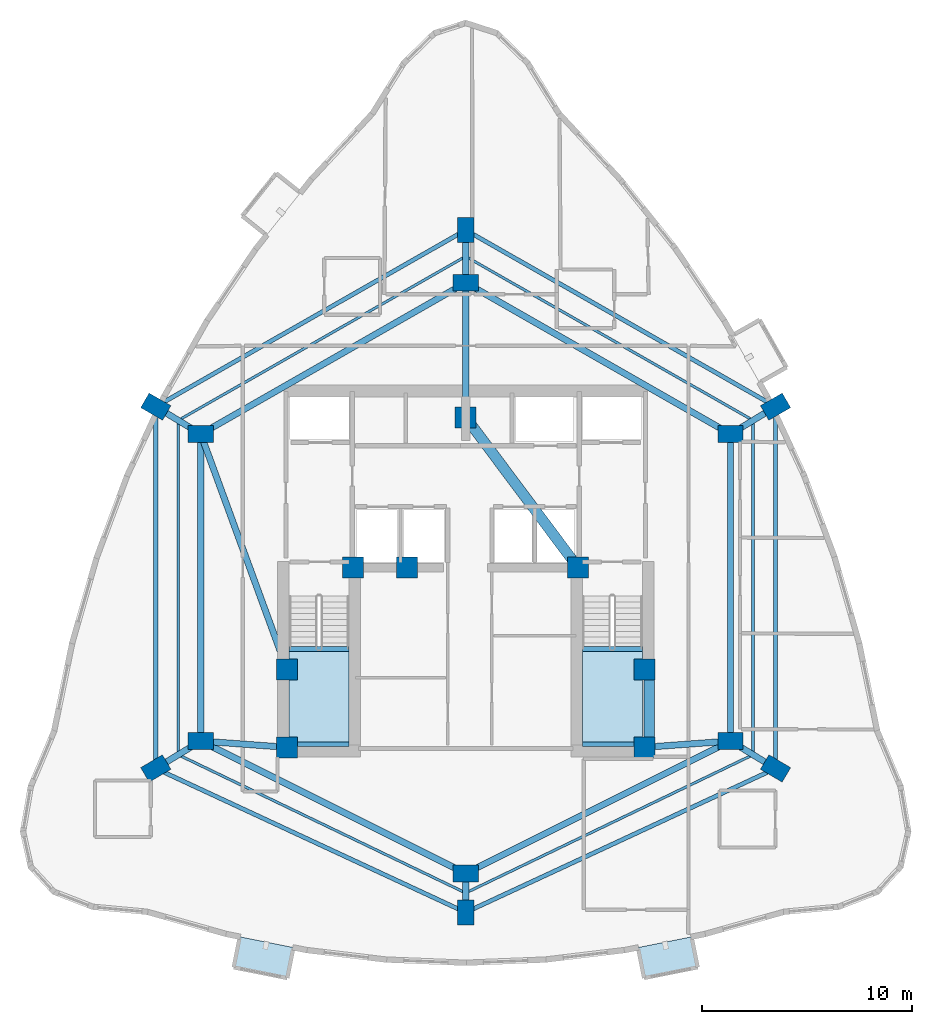
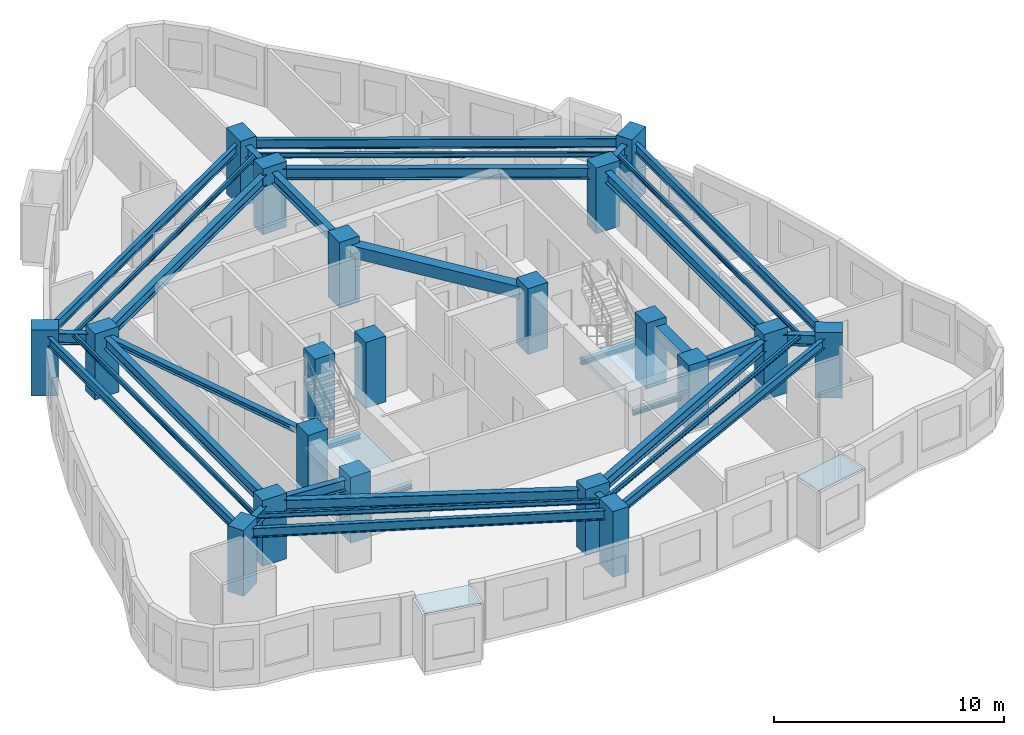
# One storey, part 1 of 9: 34 beams, 20 columns, 2 plates, 2 slabs, 2 elements without a shape of their own.
"""IFC4 building model written with IfcOpenShell, lengths in metres."""

from ifc_helpers import new_model, si_unit, direction, frame, origin, origin_2d, place, context, subcontext, project, spatial, polyline, rectangle, i_section, outline, extrude, material, layer, layer_set, material_profile, profile_set, type_object, element, aggregate, save


model = new_model("IFC4")

# Units and contexts
model_context = context("Model", 3, precision=1e-05, world=origin(), true_north=direction((0.0, 1.0)))
body_context = subcontext(model_context, "Body", "Model", "MODEL_VIEW")
ifc_project = project(units=[si_unit("LENGTHUNIT", "METRE"), si_unit("AREAUNIT", "SQUARE_METRE"), si_unit("VOLUMEUNIT", "CUBIC_METRE"), si_unit("PLANEANGLEUNIT", "RADIAN"), si_unit("MASSUNIT", "GRAM", prefix="KILO")], contexts=[model_context])

# Site, building, storey
site_placement = place(None, origin())
site = spatial("IfcSite", under=ifc_project, at=site_placement, CompositionType="ELEMENT")
building_placement = place(site_placement, origin())
building = spatial("IfcBuilding", under=site, at=building_placement, Name="Miruveldt Soraemaru", CompositionType="ELEMENT")
storey_placement = place(building_placement, frame((0.0, 0.0, 180.89990234375)))
storey = spatial("IfcBuildingStorey", under=building, at=storey_placement, Name="L50", CompositionType="ELEMENT", Elevation=180.89990234375)

# Columns
ifc_material_1 = material(Name="Concrete C60/75 (60 MPa)", Category="concrete")
ifc_material_profile_1 = material_profile(ifc_material_1, rectangle(XDim=1.0, YDim=1.0, at=origin_2d()), Name="Concrete C60/75 (60 MPa)", Category="concrete")
ifc_profile_set_1 = profile_set([ifc_material_profile_1], Name="Concrete C60/75 (60 MPa)")
column_type_1 = type_object("IfcColumnType", Name="COL-CORE-1000", PredefinedType="COLUMN", material=ifc_profile_set_1)
for number, where, z_axis, x_axis, name in (
    (1, (35.5, 35.5, 0.0), (0.0, 0.0, 1.0), (1.0, 0.0, 0.0), "L50 Structural Column CC1"),
    (2, (38.64990234375, 44.050048828125, 0.0), (0.0, 0.0, 1.0), (1.0, 0.0, 0.0), "L50 Structural Column CC2"),
    (3, (52.5, 35.5, 0.0), (0.0, 0.0, 1.0), (1.0, 0.0, 0.0), "L50 Structural Column CC3"),
    (4, (52.5, 39.199951171875, 0.0), (0.0, 0.0, 1.0), (1.0, 0.0, 0.0), "L50 Structural Column CC4"),
    (5, (49.35009765625, 44.050048828125, 0.0), (0.0, 0.0, 1.0), (1.0, 0.0, 0.0), "L50 Structural Column CC5"),
    (6, (44.0, 51.199951171875, 0.0), (0.0, 0.0, 1.0), (1.0, 0.0, 0.0), "L50 Structural Column CC6"),
    (7, (35.5, 39.199951171875, 0.0), (0.0, 0.0, 1.0), (1.0, 0.0, 0.0), "L50 Structural Column CC7"),
    (8, (41.199951171875, 44.050048828125, 0.0), (0.0, 0.0, 1.0), (1.0, 0.0, 0.0), "L50 Structural Column CC8"),
):
    element("IfcColumn", number, at=place(storey_placement, frame(where, z_axis=z_axis, x_axis=x_axis)), inside=storey, type_object=column_type_1, Name=name, PredefinedType="COLUMN", context=body_context, shape_type="SweptSolid", body=[
        extrude(rectangle(XDim=1.0, YDim=1.0, at=origin_2d()), origin(), (0.0, 0.0, 1.0), 3.5),
    ])
ifc_material_2 = material(Name="Concrete C70/85 (70 MPa)", Category="concrete")
ifc_material_profile_2 = material_profile(ifc_material_2, rectangle(XDim=1.199951171875, YDim=0.800048828125, at=origin_2d()), Name="Concrete C70/85 (70 MPa)", Category="concrete")
ifc_profile_set_2 = profile_set([ifc_material_profile_2], Name="Concrete C70/85 (70 MPa)")
column_type_2 = type_object("IfcColumnType", Name="COL-TW-Z2", PredefinedType="COLUMN", material=ifc_profile_set_2)
for number, where, z_axis, x_axis, name in (
    (9, (44.0, 57.60009765625, 0.0), (0.0, 0.0, 1.0), (1.0, 0.0, 0.0), "L50 Structural Column IR01"),
    (10, (56.60009765625, 50.39990234375, 0.0), (0.0, 0.0, 1.0), (1.0, 0.0, 0.0), "L50 Structural Column IR02"),
    (11, (56.60009765625, 35.800048828125, 0.0), (0.0, 0.0, 1.0), (1.0, 0.0, 0.0), "L50 Structural Column IR03"),
    (12, (44.0, 29.5, 0.0), (0.0, 0.0, 1.0), (1.0, 0.0, 0.0), "L50 Structural Column IR04"),
    (13, (31.39990234375, 35.800048828125, 0.0), (0.0, 0.0, 1.0), (1.0, 0.0, 0.0), "L50 Structural Column IR05"),
    (14, (31.39990234375, 50.39990234375, 0.0), (0.0, 0.0, 1.0), (1.0, 0.0, 0.0), "L50 Structural Column IR06"),
    (15, (44.0, 60.10595703125, 0.0), (0.0, 0.0, 1.0), (0.0, 1.0, 0.0), "L50 Structural Column Z2P01"),
    (16, (58.739990234375, 51.705078125, 0.0), (0.0, 0.0, 1.0), (0.866025403784, 0.5, 0.0), "L50 Structural Column Z2P02"),
    (17, (58.739990234375, 34.4951171875, 0.0), (0.0, 0.0, 1.0), (-0.860742027004, 0.50904141575, 0.0), "L50 Structural Column Z2P03"),
    (18, (44.0, 27.64697265625, 0.0), (0.0, 0.0, 1.0), (0.0, 1.0, 0.0), "L50 Structural Column Z2P04"),
    (19, (29.260009765625, 34.4951171875, 0.0), (0.0, 0.0, 1.0), (0.860742027004, 0.50904141575, 0.0), "L50 Structural Column Z2P05"),
    (20, (29.260009765625, 51.705078125, 0.0), (0.0, 0.0, 1.0), (-0.866025403784, 0.5, 0.0), "L50 Structural Column Z2P06"),
):
    element("IfcColumn", number, at=place(storey_placement, frame(where, z_axis=z_axis, x_axis=x_axis)), inside=storey, type_object=column_type_2, Name=name, PredefinedType="COLUMN", context=body_context, shape_type="SweptSolid", body=[
        extrude(rectangle(XDim=1.199951171875, YDim=0.800048828125, at=origin_2d()), origin(), (0.0, 0.0, 1.0), 3.5),
    ])

# Beams
ifc_material_3 = material(Name="Steel SM355 (355 MPa)", Category="steel")
ifc_material_profile_3 = material_profile(ifc_material_3, i_section(OverallWidth=0.300048828125, OverallDepth=0.300048828125, WebThickness=0.010009765625, FlangeThickness=0.014892578125, FilletRadius=0.01806640625, at=origin_2d()), Name="Steel SM355 (355 MPa)", Category="steel")
ifc_profile_set_3 = profile_set([ifc_material_profile_3], Name="Steel SM355 (355 MPa)")
beam_type_1 = type_object("IfcBeamType", Name="BM-LNT-H300", PredefinedType="LINTEL", material=ifc_profile_set_3)
beam_1_placement = place(storey_placement, frame((31.39990234375, 50.39990234375, 3.0), z_axis=(0.343770424598, -0.939053723262, 0.0), x_axis=(0.939053723262, 0.343770424598, 0.0)))
element("IfcBeam", 21, at=beam_1_placement, inside=storey, type_object=beam_type_1, Name="L50 West Lobby Lintel", PredefinedType="LINTEL", context=body_context, shape_type="SweptSolid", body=[
    extrude(i_section(OverallWidth=0.300048828125, OverallDepth=0.300048828125, WebThickness=0.010009765625, FlangeThickness=0.014892578125, FilletRadius=0.01806640625, at=origin_2d()), origin(), (0.0, 0.0, 1.0), 11.9267578125),
])
ifc_material_4 = material(Name="Concrete C50/60 (50 MPa)", Category="concrete")
ifc_material_profile_4 = material_profile(ifc_material_4, rectangle(XDim=0.5, YDim=0.64990234375, at=origin_2d()), Name="Concrete C50/60 (50 MPa)", Category="concrete")
ifc_profile_set_4 = profile_set([ifc_material_profile_4], Name="Concrete C50/60 (50 MPa)")
beam_type_2 = type_object("IfcBeamType", Name="BM-RC-500x650", PredefinedType="BEAM", material=ifc_profile_set_4)
beam_2_placement = place(storey_placement, frame((52.72998046875, 35.5, 2.8251953125), z_axis=(0.0, 1.0, 0.0), x_axis=(-1.0, 0.0, 0.0)))
element("IfcBeam", 22, at=beam_2_placement, inside=storey, type_object=beam_type_2, Name="L50 Core Tie Beam 3", PredefinedType="BEAM", context=body_context, shape_type="SweptSolid", body=[
    extrude(rectangle(XDim=0.5, YDim=0.64990234375, at=origin_2d()), origin(), (0.0, 0.0, 1.0), 3.699951171875),
])
beam_3_placement = place(storey_placement, frame((49.35009765625, 44.050048828125, 2.8251953125), z_axis=(-0.599116023999, 0.800662219533, 0.0), x_axis=(-0.800662219533, -0.599116023999, 0.0)))
element("IfcBeam", 23, at=beam_3_placement, inside=storey, type_object=beam_type_2, Name="L50 Core Tie Beam 5", PredefinedType="BEAM", context=body_context, shape_type="SweptSolid", body=[
    extrude(rectangle(XDim=0.5, YDim=0.64990234375, at=origin_2d()), origin(), (0.0, 0.0, 1.0), 8.929931640625),
])
ifc_material_profile_5 = material_profile(ifc_material_3, i_section(OverallWidth=0.125, OverallDepth=0.25, WebThickness=0.006103515625, FlangeThickness=0.009033203125, FilletRadius=0.011962890625, at=origin_2d()), Name="Steel SM355 (355 MPa)", Category="steel")
ifc_profile_set_5 = profile_set([ifc_material_profile_5], Name="Steel SM355 (355 MPa)")
beam_type_3 = type_object("IfcBeamType", Name="BM-ST-H250", PredefinedType="JOIST", material=ifc_profile_set_5)
beam_4_placement = place(storey_placement, frame((44.0, 58.85302734375, 3.025146484375), z_axis=(0.868539859756, -0.495619321672, 0.0), x_axis=(0.495619321672, 0.868539859756, 0.0)))
element("IfcBeam", 24, at=beam_4_placement, inside=storey, type_object=beam_type_3, Name="L50 Outer Bay Floor Joist 1", PredefinedType="JOIST", context=body_context, shape_type="SweptSolid", body=[
    extrude(i_section(OverallWidth=0.125, OverallDepth=0.25, WebThickness=0.006103515625, FlangeThickness=0.009033203125, FilletRadius=0.011962890625, at=origin_2d()), origin(), (0.0, 0.0, 1.0), 15.739013671875),
])
beam_5_placement = place(storey_placement, frame((57.669921875, 51.052490234375, 3.025146484375), z_axis=(0.0, -1.0, 0.0), x_axis=(1.0, 0.0, 0.0)))
element("IfcBeam", 25, at=beam_5_placement, inside=storey, type_object=beam_type_3, Name="L50 Outer Bay Floor Joist 2", PredefinedType="JOIST", context=body_context, shape_type="SweptSolid", body=[
    extrude(i_section(OverallWidth=0.125, OverallDepth=0.25, WebThickness=0.006103515625, FlangeThickness=0.009033203125, FilletRadius=0.011962890625, at=origin_2d()), origin(), (0.0, 0.0, 1.0), 15.905029296875),
])
for number, where, z_axis, x_axis, name in (
    (26, (57.669921875, 35.1474609375, 3.025146484375), (-0.901203586802, -0.433396002676, 0.0), (0.433396002676, -0.901203586802, 0.0), "L50 Outer Bay Floor Joist 3"),
    (27, (44.0, 28.573486328125, 3.025146484375), (-0.901203586802, 0.433396002676, 0.0), (-0.433396002676, -0.901203586802, 0.0), "L50 Outer Bay Floor Joist 4"),
):
    element("IfcBeam", number, at=place(storey_placement, frame(where, z_axis=z_axis, x_axis=x_axis)), inside=storey, type_object=beam_type_3, Name=name, PredefinedType="JOIST", context=body_context, shape_type="SweptSolid", body=[
        extrude(i_section(OverallWidth=0.125, OverallDepth=0.25, WebThickness=0.006103515625, FlangeThickness=0.009033203125, FilletRadius=0.011962890625, at=origin_2d()), origin(), (0.0, 0.0, 1.0), 15.16845703125),
    ])
beam_6_placement = place(storey_placement, frame((30.330078125, 35.1474609375, 3.025146484375), z_axis=(0.0, 1.0, 0.0), x_axis=(-1.0, 0.0, 0.0)))
element("IfcBeam", 28, at=beam_6_placement, inside=storey, type_object=beam_type_3, Name="L50 Outer Bay Floor Joist 5", PredefinedType="JOIST", context=body_context, shape_type="SweptSolid", body=[
    extrude(i_section(OverallWidth=0.125, OverallDepth=0.25, WebThickness=0.006103515625, FlangeThickness=0.009033203125, FilletRadius=0.011962890625, at=origin_2d()), origin(), (0.0, 0.0, 1.0), 15.905029296875),
])
beam_7_placement = place(storey_placement, frame((30.330078125, 51.052490234375, 3.025146484375), z_axis=(0.868539859756, 0.495619321672, 0.0), x_axis=(-0.495619321672, 0.868539859756, 0.0)))
element("IfcBeam", 29, at=beam_7_placement, inside=storey, type_object=beam_type_3, Name="L50 Outer Bay Floor Joist 6", PredefinedType="JOIST", context=body_context, shape_type="SweptSolid", body=[
    extrude(i_section(OverallWidth=0.125, OverallDepth=0.25, WebThickness=0.006103515625, FlangeThickness=0.009033203125, FilletRadius=0.011962890625, at=origin_2d()), origin(), (0.0, 0.0, 1.0), 15.739013671875),
])
ifc_material_profile_6 = material_profile(ifc_material_3, i_section(OverallWidth=0.199951171875, OverallDepth=0.5, WebThickness=0.010009765625, FlangeThickness=0.01611328125, FilletRadius=0.02001953125, at=origin_2d()), Name="Steel SM355 (355 MPa)", Category="steel")
ifc_profile_set_6 = profile_set([ifc_material_profile_6], Name="Steel SM355 (355 MPa)")
beam_type_4 = type_object("IfcBeamType", Name="BM-ST-H500", PredefinedType="SPANDREL", material=ifc_profile_set_6)
beam_8_placement = place(storey_placement, frame((44.0, 60.10595703125, 2.900146484375), z_axis=(0.86880048516, -0.495162313778, 0.0), x_axis=(0.495162313778, 0.86880048516, 0.0)))
element("IfcBeam", 30, at=beam_8_placement, inside=storey, type_object=beam_type_4, Name="L50 Zone-2 Spandrel Beam 1", PredefinedType="SPANDREL", context=body_context, shape_type="SweptSolid", body=[
    extrude(i_section(OverallWidth=0.199951171875, OverallDepth=0.5, WebThickness=0.010009765625, FlangeThickness=0.01611328125, FilletRadius=0.02001953125, at=origin_2d()), origin(), (0.0, 0.0, 1.0), 16.9658203125),
])
beam_9_placement = place(storey_placement, frame((58.739990234375, 51.705078125, 2.900146484375), z_axis=(0.0, -1.0, 0.0), x_axis=(1.0, 0.0, 0.0)))
element("IfcBeam", 31, at=beam_9_placement, inside=storey, type_object=beam_type_4, Name="L50 Zone-2 Spandrel Beam 2", PredefinedType="SPANDREL", context=body_context, shape_type="SweptSolid", body=[
    extrude(i_section(OverallWidth=0.199951171875, OverallDepth=0.5, WebThickness=0.010009765625, FlangeThickness=0.01611328125, FilletRadius=0.02001953125, at=origin_2d()), origin(), (0.0, 0.0, 1.0), 17.2099609375),
])
for number, where, z_axis, x_axis, name in (
    (32, (58.739990234375, 34.4951171875, 2.900146484375), (-0.906901362829, -0.421342993414, 0.0), (0.421342993414, -0.906901362829, 0.0), "L50 Zone-2 Spandrel Beam 3"),
    (33, (44.0, 27.64697265625, 2.900146484375), (-0.906901362829, 0.421342993414, 0.0), (-0.421342993414, -0.906901362829, 0.0), "L50 Zone-2 Spandrel Beam 4"),
):
    element("IfcBeam", number, at=place(storey_placement, frame(where, z_axis=z_axis, x_axis=x_axis)), inside=storey, type_object=beam_type_4, Name=name, PredefinedType="SPANDREL", context=body_context, shape_type="SweptSolid", body=[
        extrude(i_section(OverallWidth=0.199951171875, OverallDepth=0.5, WebThickness=0.010009765625, FlangeThickness=0.01611328125, FilletRadius=0.02001953125, at=origin_2d()), origin(), (0.0, 0.0, 1.0), 16.253173828125),
    ])
beam_10_placement = place(storey_placement, frame((29.260009765625, 34.4951171875, 2.900146484375), z_axis=(0.0, 1.0, 0.0), x_axis=(-1.0, 0.0, 0.0)))
element("IfcBeam", 34, at=beam_10_placement, inside=storey, type_object=beam_type_4, Name="L50 Zone-2 Spandrel Beam 5", PredefinedType="SPANDREL", context=body_context, shape_type="SweptSolid", body=[
    extrude(i_section(OverallWidth=0.199951171875, OverallDepth=0.5, WebThickness=0.010009765625, FlangeThickness=0.01611328125, FilletRadius=0.02001953125, at=origin_2d()), origin(), (0.0, 0.0, 1.0), 17.2099609375),
])
beam_11_placement = place(storey_placement, frame((29.260009765625, 51.705078125, 2.900146484375), z_axis=(0.86880048516, 0.495162313778, 0.0), x_axis=(-0.495162313778, 0.86880048516, 0.0)))
element("IfcBeam", 35, at=beam_11_placement, inside=storey, type_object=beam_type_4, Name="L50 Zone-2 Spandrel Beam 6", PredefinedType="SPANDREL", context=body_context, shape_type="SweptSolid", body=[
    extrude(i_section(OverallWidth=0.199951171875, OverallDepth=0.5, WebThickness=0.010009765625, FlangeThickness=0.01611328125, FilletRadius=0.02001953125, at=origin_2d()), origin(), (0.0, 0.0, 1.0), 16.9658203125),
])
ifc_material_profile_7 = material_profile(ifc_material_3, i_section(OverallWidth=0.300048828125, OverallDepth=0.587890625, WebThickness=0.011962890625, FlangeThickness=0.02001953125, FilletRadius=0.028076171875, at=origin_2d()), Name="Steel SM355 (355 MPa)", Category="steel")
ifc_profile_set_7 = profile_set([ifc_material_profile_7], Name="Steel SM355 (355 MPa)")
beam_type_5 = type_object("IfcBeamType", Name="BM-ST-H588", PredefinedType="BEAM", material=ifc_profile_set_7)
beam_12_placement = place(storey_placement, frame((44.0, 57.60009765625, 2.856201171875), z_axis=(0.868239001029, -0.496146185203, 0.0), x_axis=(0.496146185203, 0.868239001029, 0.0)))
element("IfcBeam", 36, at=beam_12_placement, inside=storey, type_object=beam_type_5, Name="L50 Inner Ring Girder 1", PredefinedType="BEAM", context=body_context, shape_type="SweptSolid", body=[
    extrude(i_section(OverallWidth=0.300048828125, OverallDepth=0.587890625, WebThickness=0.011962890625, FlangeThickness=0.02001953125, FilletRadius=0.028076171875, at=origin_2d()), origin(), (0.0, 0.0, 1.0), 14.51220703125),
])
beam_13_placement = place(storey_placement, frame((44.0, 51.199951171875, 2.856201171875), z_axis=(0.0, 1.0, 0.0), x_axis=(-1.0, 0.0, 0.0)))
element("IfcBeam", 37, at=beam_13_placement, inside=storey, type_object=beam_type_5, Name="L50 Core-to-Inner Radial Girder 1", PredefinedType="BEAM", context=body_context, shape_type="SweptSolid", body=[
    extrude(i_section(OverallWidth=0.300048828125, OverallDepth=0.587890625, WebThickness=0.011962890625, FlangeThickness=0.02001953125, FilletRadius=0.028076171875, at=origin_2d()), origin(), (0.0, 0.0, 1.0), 6.400146484375),
])
beam_14_placement = place(storey_placement, frame((56.60009765625, 50.39990234375, 2.856201171875), z_axis=(0.0, -1.0, 0.0), x_axis=(1.0, 0.0, 0.0)))
element("IfcBeam", 38, at=beam_14_placement, inside=storey, type_object=beam_type_5, Name="L50 Inner Ring Girder 2", PredefinedType="BEAM", context=body_context, shape_type="SweptSolid", body=[
    extrude(i_section(OverallWidth=0.300048828125, OverallDepth=0.587890625, WebThickness=0.011962890625, FlangeThickness=0.02001953125, FilletRadius=0.028076171875, at=origin_2d()), origin(), (0.0, 0.0, 1.0), 14.599853515625),
])
beam_15_placement = place(storey_placement, frame((56.60009765625, 35.800048828125, 2.856201171875), z_axis=(-0.894427191, -0.4472135955, 0.0), x_axis=(0.4472135955, -0.894427191, 0.0)))
element("IfcBeam", 39, at=beam_15_placement, inside=storey, type_object=beam_type_5, Name="L50 Inner Ring Girder 3", PredefinedType="BEAM", context=body_context, shape_type="SweptSolid", body=[
    extrude(i_section(OverallWidth=0.300048828125, OverallDepth=0.587890625, WebThickness=0.011962890625, FlangeThickness=0.02001953125, FilletRadius=0.028076171875, at=origin_2d()), origin(), (0.0, 0.0, 1.0), 14.08740234375),
])
beam_16_placement = place(storey_placement, frame((52.5, 35.5, 2.856201171875), z_axis=(0.997332985605, 0.072985723431, 0.0), x_axis=(-0.072985723431, 0.997332985605, 0.0)))
element("IfcBeam", 40, at=beam_16_placement, inside=storey, type_object=beam_type_5, Name="L50 Core-to-Inner Radial Girder 3", PredefinedType="BEAM", context=body_context, shape_type="SweptSolid", body=[
    extrude(i_section(OverallWidth=0.300048828125, OverallDepth=0.587890625, WebThickness=0.011962890625, FlangeThickness=0.02001953125, FilletRadius=0.028076171875, at=origin_2d()), origin(), (0.0, 0.0, 1.0), 4.111083984375),
])
beam_17_placement = place(storey_placement, frame((44.0, 29.5, 2.856201171875), z_axis=(-0.894427191, 0.4472135955, 0.0), x_axis=(-0.4472135955, -0.894427191, 0.0)))
element("IfcBeam", 41, at=beam_17_placement, inside=storey, type_object=beam_type_5, Name="L50 Inner Ring Girder 4", PredefinedType="BEAM", context=body_context, shape_type="SweptSolid", body=[
    extrude(i_section(OverallWidth=0.300048828125, OverallDepth=0.587890625, WebThickness=0.011962890625, FlangeThickness=0.02001953125, FilletRadius=0.028076171875, at=origin_2d()), origin(), (0.0, 0.0, 1.0), 14.08740234375),
])
beam_18_placement = place(storey_placement, frame((31.39990234375, 35.800048828125, 2.856201171875), z_axis=(0.0, 1.0, 0.0), x_axis=(-1.0, 0.0, 0.0)))
element("IfcBeam", 42, at=beam_18_placement, inside=storey, type_object=beam_type_5, Name="L50 Inner Ring Girder 5", PredefinedType="BEAM", context=body_context, shape_type="SweptSolid", body=[
    extrude(i_section(OverallWidth=0.300048828125, OverallDepth=0.587890625, WebThickness=0.011962890625, FlangeThickness=0.02001953125, FilletRadius=0.028076171875, at=origin_2d()), origin(), (0.0, 0.0, 1.0), 14.599853515625),
])
beam_19_placement = place(storey_placement, frame((35.5, 35.5, 2.856201171875), z_axis=(-0.997332985605, 0.072985723431, 0.0), x_axis=(-0.072985723431, -0.997332985605, 0.0)))
element("IfcBeam", 43, at=beam_19_placement, inside=storey, type_object=beam_type_5, Name="L50 Core-to-Inner Radial Girder 5", PredefinedType="BEAM", context=body_context, shape_type="SweptSolid", body=[
    extrude(i_section(OverallWidth=0.300048828125, OverallDepth=0.587890625, WebThickness=0.011962890625, FlangeThickness=0.02001953125, FilletRadius=0.028076171875, at=origin_2d()), origin(), (0.0, 0.0, 1.0), 4.111083984375),
])
beam_20_placement = place(storey_placement, frame((31.39990234375, 50.39990234375, 2.856201171875), z_axis=(0.868239001029, 0.496146185203, 0.0), x_axis=(-0.496146185203, 0.868239001029, 0.0)))
element("IfcBeam", 44, at=beam_20_placement, inside=storey, type_object=beam_type_5, Name="L50 Inner Ring Girder 6", PredefinedType="BEAM", context=body_context, shape_type="SweptSolid", body=[
    extrude(i_section(OverallWidth=0.300048828125, OverallDepth=0.587890625, WebThickness=0.011962890625, FlangeThickness=0.02001953125, FilletRadius=0.028076171875, at=origin_2d()), origin(), (0.0, 0.0, 1.0), 14.51220703125),
])
beam_21_placement = place(storey_placement, frame((44.0, 57.60009765625, 2.856201171875), z_axis=(0.0, 1.0, 0.0), x_axis=(-1.0, 0.0, 0.0)))
element("IfcBeam", 45, at=beam_21_placement, inside=storey, type_object=beam_type_5, Name="L50 Zone-2 Radial Girder 1", PredefinedType="BEAM", context=body_context, shape_type="SweptSolid", body=[
    extrude(i_section(OverallWidth=0.300048828125, OverallDepth=0.587890625, WebThickness=0.011962890625, FlangeThickness=0.02001953125, FilletRadius=0.028076171875, at=origin_2d()), origin(), (0.0, 0.0, 1.0), 2.505859375),
])
beam_22_placement = place(storey_placement, frame((56.60009765625, 50.39990234375, 2.856201171875), z_axis=(0.85373175529, 0.520713059188, 0.0), x_axis=(-0.520713059188, 0.85373175529, 0.0)))
element("IfcBeam", 46, at=beam_22_placement, inside=storey, type_object=beam_type_5, Name="L50 Zone-2 Radial Girder 2", PredefinedType="BEAM", context=body_context, shape_type="SweptSolid", body=[
    extrude(i_section(OverallWidth=0.300048828125, OverallDepth=0.587890625, WebThickness=0.011962890625, FlangeThickness=0.02001953125, FilletRadius=0.028076171875, at=origin_2d()), origin(), (0.0, 0.0, 1.0), 2.506591796875),
])
beam_23_placement = place(storey_placement, frame((56.60009765625, 35.800048828125, 2.856201171875), z_axis=(0.853775054686, -0.5206420613, 0.0), x_axis=(0.5206420613, 0.853775054686, 0.0)))
element("IfcBeam", 47, at=beam_23_placement, inside=storey, type_object=beam_type_5, Name="L50 Zone-2 Radial Girder 3", PredefinedType="BEAM", context=body_context, shape_type="SweptSolid", body=[
    extrude(i_section(OverallWidth=0.300048828125, OverallDepth=0.587890625, WebThickness=0.011962890625, FlangeThickness=0.02001953125, FilletRadius=0.028076171875, at=origin_2d()), origin(), (0.0, 0.0, 1.0), 2.50634765625),
])
beam_24_placement = place(storey_placement, frame((44.0, 29.5, 2.856201171875), z_axis=(0.0, -1.0, 0.0), x_axis=(1.0, 0.0, 0.0)))
element("IfcBeam", 48, at=beam_24_placement, inside=storey, type_object=beam_type_5, Name="L50 Zone-2 Radial Girder 4", PredefinedType="BEAM", context=body_context, shape_type="SweptSolid", body=[
    extrude(i_section(OverallWidth=0.300048828125, OverallDepth=0.587890625, WebThickness=0.011962890625, FlangeThickness=0.02001953125, FilletRadius=0.028076171875, at=origin_2d()), origin(), (0.0, 0.0, 1.0), 1.85302734375),
])
beam_25_placement = place(storey_placement, frame((31.39990234375, 35.800048828125, 2.856201171875), z_axis=(-0.853775054686, -0.5206420613, 0.0), x_axis=(0.5206420613, -0.853775054686, 0.0)))
element("IfcBeam", 49, at=beam_25_placement, inside=storey, type_object=beam_type_5, Name="L50 Zone-2 Radial Girder 5", PredefinedType="BEAM", context=body_context, shape_type="SweptSolid", body=[
    extrude(i_section(OverallWidth=0.300048828125, OverallDepth=0.587890625, WebThickness=0.011962890625, FlangeThickness=0.02001953125, FilletRadius=0.028076171875, at=origin_2d()), origin(), (0.0, 0.0, 1.0), 2.50634765625),
])
beam_26_placement = place(storey_placement, frame((31.39990234375, 50.39990234375, 2.856201171875), z_axis=(-0.85373175529, 0.520713059188, 0.0), x_axis=(-0.520713059188, -0.85373175529, 0.0)))
element("IfcBeam", 50, at=beam_26_placement, inside=storey, type_object=beam_type_5, Name="L50 Zone-2 Radial Girder 6", PredefinedType="BEAM", context=body_context, shape_type="SweptSolid", body=[
    extrude(i_section(OverallWidth=0.300048828125, OverallDepth=0.587890625, WebThickness=0.011962890625, FlangeThickness=0.02001953125, FilletRadius=0.028076171875, at=origin_2d()), origin(), (0.0, 0.0, 1.0), 2.506591796875),
])
ifc_material_profile_8 = material_profile(ifc_material_3, i_section(OverallWidth=0.199951171875, OverallDepth=0.199951171875, WebThickness=0.008056640625, FlangeThickness=0.011962890625, FilletRadius=0.012939453125, at=origin_2d()), Name="Steel SM355 (355 MPa)", Category="steel")
ifc_profile_set_8 = profile_set([ifc_material_profile_8], Name="Steel SM355 (355 MPa)")
beam_type_6 = type_object("IfcBeamType", Name="BM-ST-LND200", PredefinedType="BEAM", material=ifc_profile_set_8)
for number, where, z_axis, x_axis, name in (
    (51, (35.60009765625, 35.64990234375, 1.4501953125), (1.0, 0.0, 0.0), (0.0, 1.0, 0.0), "L50 ST1 Landing End Beam 1B"),
    (52, (49.550048828125, 35.64990234375, 1.4501953125), (1.0, 0.0, 0.0), (0.0, 1.0, 0.0), "L50 ST2 Landing End Beam 1B"),
):
    element("IfcBeam", number, at=place(storey_placement, frame(where, z_axis=z_axis, x_axis=x_axis)), inside=storey, type_object=beam_type_6, Name=name, PredefinedType="BEAM", context=body_context, shape_type="SweptSolid", body=[
        extrude(i_section(OverallWidth=0.199951171875, OverallDepth=0.199951171875, WebThickness=0.008056640625, FlangeThickness=0.011962890625, FilletRadius=0.012939453125, at=origin_2d()), origin(), (0.0, 0.0, 1.0), 2.849853515625),
    ])
ifc_material_profile_9 = material_profile(ifc_material_3, i_section(OverallWidth=0.25, OverallDepth=0.25, WebThickness=0.009033203125, FlangeThickness=0.013916015625, FilletRadius=0.01611328125, at=origin_2d()), Name="Steel SM355 (355 MPa)", Category="steel")
ifc_profile_set_9 = profile_set([ifc_material_profile_9], Name="Steel SM355 (355 MPa)")
beam_type_7 = type_object("IfcBeamType", Name="BM-ST-LND250", PredefinedType="BEAM", material=ifc_profile_set_9)
for number, where, z_axis, x_axis, name in (
    (53, (35.60009765625, 40.179931640625, 1.425048828125), (1.0, 0.0, 0.0), (0.0, 1.0, 0.0), "L50 ST1 Landing Support Beam 1A"),
    (54, (49.550048828125, 40.179931640625, 1.425048828125), (1.0, 0.0, 0.0), (0.0, 1.0, 0.0), "L50 ST2 Landing Support Beam 1A"),
):
    element("IfcBeam", number, at=place(storey_placement, frame(where, z_axis=z_axis, x_axis=x_axis)), inside=storey, type_object=beam_type_7, Name=name, PredefinedType="BEAM", context=body_context, shape_type="SweptSolid", body=[
        extrude(i_section(OverallWidth=0.25, OverallDepth=0.25, WebThickness=0.009033203125, FlangeThickness=0.013916015625, FilletRadius=0.01611328125, at=origin_2d()), origin(), (0.0, 0.0, 1.0), 2.849853515625),
    ])

# Plates
ifc_material_5 = material(Name="Standing-seam titanium-zinc sheet", Category="aluminium")
ifc_layer_1 = layer(ifc_material_5, 0.011962890625, Name="Standing-seam titanium-zinc sheet", Category="aluminium")
ifc_layer_set_1 = layer_set([ifc_layer_1], Name="Standing-seam titanium-zinc sheet")
plate_type = type_object("IfcPlateType", Name="PLT-ZINC-12", PredefinedType="SHEET", material=ifc_layer_set_1)
plate_1_placement = place(storey_placement, frame((0.0, 0.0, 3.0)))
element("IfcPlate", 55, at=plate_1_placement, inside=storey, type_object=plate_type, Name="L50 Bay Window Zinc Hood Sheet 1", PredefinedType="SHEET", context=body_context, shape_type="SweptSolid", body=[
    extrude(outline(polyline([(33.254638671875, 26.4873046875), (35.80419921875, 25.977294921875), (35.51416015625, 24.526123046875), (32.964599609375, 25.035888671875), (33.254638671875, 26.4873046875)])), origin(), (0.0, 0.0, 1.0), 0.01220703125),
])
plate_2_placement = place(storey_placement, frame((0.0, 0.0, 3.0)))
element("IfcPlate", 56, at=plate_2_placement, inside=storey, type_object=plate_type, Name="L50 Bay Window Zinc Hood Sheet 2", PredefinedType="SHEET", context=body_context, shape_type="SweptSolid", body=[
    extrude(outline(polyline([(52.19580078125, 25.977294921875), (54.745361328125, 26.4873046875), (55.035400390625, 25.035888671875), (52.48583984375, 24.526123046875), (52.19580078125, 25.977294921875)])), origin(), (0.0, 0.0, 1.0), 0.01220703125),
])

# Stair, slab
ifc_material_6 = material(Name="Concrete C40/50 (40 MPa)", Category="concrete")
stair_type = type_object("IfcStairType", Name="STAIR-DL-350", PredefinedType="HALF_TURN_STAIR", material=ifc_material_6)
stair_1_placement = place(storey_placement, origin())
stair_1 = element("IfcStair", 57, at=stair_1_placement, inside=storey, type_object=stair_type, Name="L50 Protected Exit Stair ST-1", PredefinedType="HALF_TURN_STAIR")
ifc_layer_2 = layer(ifc_material_6, 0.199951171875, Name="Concrete C40/50 (40 MPa)", Category="concrete")
ifc_layer_set_2 = layer_set([ifc_layer_2], Name="Concrete C40/50 (40 MPa)")
slab_type = type_object("IfcSlabType", Name="SLAB-LAND-200", PredefinedType="LANDING", material=ifc_layer_set_2)
slab_1_placement = place(storey_placement, frame((0.0, 0.0, 1.550048828125)))
slab_1 = element("IfcSlab", 58, at=slab_1_placement, type_object=slab_type, Name="ST-1 landing 1", PredefinedType="LANDING", context=body_context, shape_type="SweptSolid", body=[
    extrude(outline(polyline([(35.60009765625, 40.197998046875), (35.60009765625, 35.64990234375), (38.449951171875, 35.64990234375), (38.449951171875, 40.197998046875), (35.60009765625, 40.197998046875)])), origin(), (0.0, 0.0, 1.0), 0.199951171875),
])
aggregate(stair_1, [slab_1])

stair_2_placement = place(storey_placement, origin())
stair_2 = element("IfcStair", 59, at=stair_2_placement, inside=storey, type_object=stair_type, Name="L50 Protected Exit Stair ST-2", PredefinedType="HALF_TURN_STAIR")
slab_2_placement = place(storey_placement, frame((0.0, 0.0, 1.550048828125)))
slab_2 = element("IfcSlab", 60, at=slab_2_placement, type_object=slab_type, Name="ST-2 landing 1", PredefinedType="LANDING", context=body_context, shape_type="SweptSolid", body=[
    extrude(outline(polyline([(49.550048828125, 40.197998046875), (49.550048828125, 35.64990234375), (52.39990234375, 35.64990234375), (52.39990234375, 40.197998046875), (49.550048828125, 40.197998046875)])), origin(), (0.0, 0.0, 1.0), 0.199951171875),
])
aggregate(stair_2, [slab_2])

save(model, "model.ifc")
